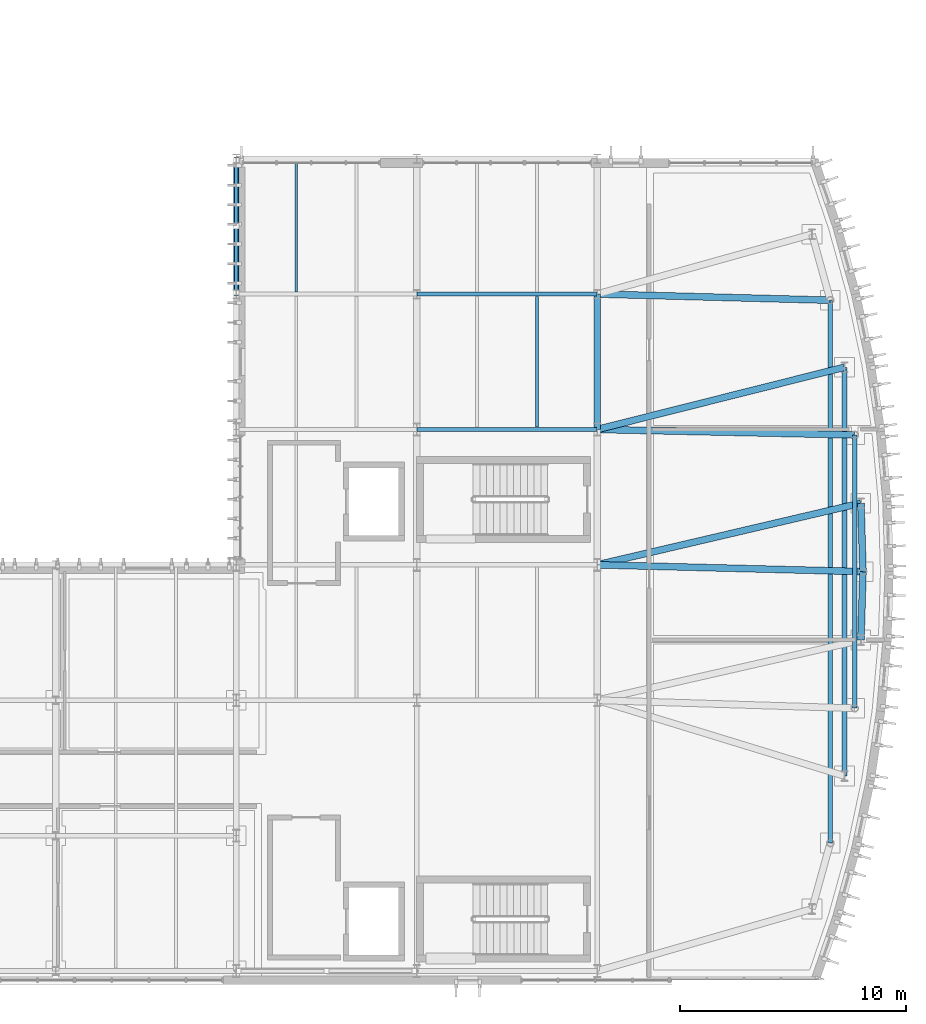
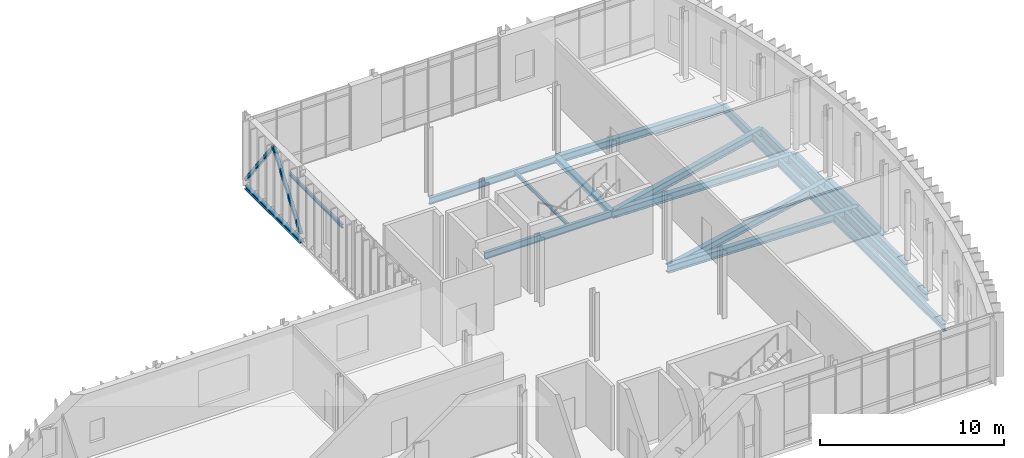
# One storey, part 46 of 100: 16 beams, 2 members.
"""IFC4 building model written with IfcOpenShell, lengths in metres."""

from ifc_helpers import new_model, si_unit, direction, frame, origin, origin_2d, place, context, subcontext, project, spatial, hollow_rectangle, i_section, extrude, material, material_profile, profile_set, type_object, element, save


model = new_model("IFC4")

# Units and contexts
model_context = context("Model", 3, precision=1e-05, world=origin(), true_north=direction((0.0, 1.0)))
body_context = subcontext(model_context, "Body", "Model", "MODEL_VIEW")
ifc_project = project(units=[si_unit("LENGTHUNIT", "METRE"), si_unit("AREAUNIT", "SQUARE_METRE"), si_unit("VOLUMEUNIT", "CUBIC_METRE"), si_unit("PLANEANGLEUNIT", "RADIAN"), si_unit("MASSUNIT", "GRAM", prefix="KILO")], contexts=[model_context])

# Site, building, storey
site_placement = place(None, origin())
site = spatial("IfcSite", under=ifc_project, at=site_placement, CompositionType="ELEMENT")
building_placement = place(site_placement, origin())
building = spatial("IfcBuilding", under=site, at=building_placement, Name="Cymarion Research Institute", CompositionType="ELEMENT")
storey_placement = place(building_placement, frame((0.0, 0.0, 9.300048828125)))
storey = spatial("IfcBuildingStorey", under=building, at=storey_placement, Name="L02", CompositionType="ELEMENT", Elevation=9.300048828125)

# Beams
ifc_material = material(Name="Steel S355", Category="steel")
ifc_material_profile_1 = material_profile(ifc_material, i_section(OverallWidth=0.2099609375, OverallDepth=0.550048828125, WebThickness=0.010986328125, FlangeThickness=0.01708984375, FilletRadius=0.02392578125, at=origin_2d()), Name="IPE 550")
ifc_profile_set_1 = profile_set([ifc_material_profile_1], Name="Steel S355")
beam_type_1 = type_object("IfcBeamType", Name="PRIMARY GIRDER BM02 IPE 550", PredefinedType="BEAM", material=ifc_profile_set_1)
beam_1_placement = place(storey_placement, frame((164.929931640625, 11.1787109375, -0.525146484375), z_axis=(0.0, 1.0, 0.0), x_axis=(-1.0, 0.0, 0.0)))
element("IfcBeam", 1, at=beam_1_placement, inside=storey, type_object=beam_type_1, Name="L02 V1 girder BM02 #817", PredefinedType="BEAM", context=body_context, shape_type="SweptSolid", body=[
    extrude(i_section(OverallWidth=0.2099609375, OverallDepth=0.550048828125, WebThickness=0.010986328125, FlangeThickness=0.01708984375, FilletRadius=0.02392578125, at=origin_2d()), origin(), (0.0, 0.0, 1.0), 24.04248046875),
])
beam_2_placement = place(storey_placement, frame((165.56005859375, 14.1474609375, -0.525146484375), z_axis=(0.0, 1.0, 0.0), x_axis=(-1.0, 0.0, 0.0)))
element("IfcBeam", 2, at=beam_2_placement, inside=storey, type_object=beam_type_1, Name="L02 V1 girder BM02 #818", PredefinedType="BEAM", context=body_context, shape_type="SweptSolid", body=[
    extrude(i_section(OverallWidth=0.2099609375, OverallDepth=0.550048828125, WebThickness=0.010986328125, FlangeThickness=0.01708984375, FilletRadius=0.02392578125, at=origin_2d()), origin(), (0.0, 0.0, 1.0), 18.10498046875),
])
beam_3_placement = place(storey_placement, frame((166.010009765625, 17.148681640625, -0.525146484375), z_axis=(0.0, 1.0, 0.0), x_axis=(-1.0, 0.0, 0.0)))
element("IfcBeam", 3, at=beam_3_placement, inside=storey, type_object=beam_type_1, Name="L02 V1 girder BM02 #819", PredefinedType="BEAM", context=body_context, shape_type="SweptSolid", body=[
    extrude(i_section(OverallWidth=0.2099609375, OverallDepth=0.550048828125, WebThickness=0.010986328125, FlangeThickness=0.01708984375, FilletRadius=0.02392578125, at=origin_2d()), origin(), (0.0, 0.0, 1.0), 12.1025390625),
])
ifc_material_profile_2 = material_profile(ifc_material, i_section(OverallWidth=0.18994140625, OverallDepth=0.449951171875, WebThickness=0.009521484375, FlangeThickness=0.0146484375, FilletRadius=0.02099609375, at=origin_2d()), Name="IPE 450")
ifc_profile_set_2 = profile_set([ifc_material_profile_2], Name="Steel S355")
beam_type_2 = type_object("IfcBeamType", Name="PRIMARY GIRDER BM04 IPE 450", PredefinedType="BEAM", material=ifc_profile_set_2)
for number, where, z_axis, x_axis, name in (
    (4, (146.60595703125, 29.5, -0.47509765625), (1.0, 0.0, 0.0), (0.0, 1.0, 0.0), "L02 V1 girder BM04 #784"),
    (5, (146.60595703125, 35.5, -0.47509765625), (1.0, 0.0, 0.0), (0.0, 1.0, 0.0), "L02 V1 girder BM04 #786"),
):
    element("IfcBeam", number, at=place(storey_placement, frame(where, z_axis=z_axis, x_axis=x_axis)), inside=storey, type_object=beam_type_2, Name=name, PredefinedType="BEAM", context=body_context, shape_type="SweptSolid", body=[
        extrude(i_section(OverallWidth=0.18994140625, OverallDepth=0.449951171875, WebThickness=0.009521484375, FlangeThickness=0.0146484375, FilletRadius=0.02099609375, at=origin_2d()), origin(), (0.0, 0.0, 1.0), 7.988037109375),
    ])
ifc_material_profile_3 = material_profile(ifc_material, i_section(OverallWidth=0.300048828125, OverallDepth=0.5, WebThickness=0.014404296875, FlangeThickness=0.028076171875, FilletRadius=0.027099609375, at=origin_2d()), Name="HEB 500")
ifc_profile_set_3 = profile_set([ifc_material_profile_3], Name="Steel S355")
beam_type_3 = type_object("IfcBeamType", Name="PRIMARY GIRDER BM09 HEB 500", PredefinedType="BEAM", material=ifc_profile_set_3)
beam_4_placement = place(storey_placement, frame((154.60791015625, 23.499755859375, -0.5), z_axis=(0.999675752574, -0.025463497715, 0.0), x_axis=(0.025463497715, 0.999675752574, 0.0)))
element("IfcBeam", 6, at=beam_4_placement, inside=storey, type_object=beam_type_3, Name="L02 V1 radial prow girder BM09 #828", PredefinedType="BEAM", context=body_context, shape_type="SweptSolid", body=[
    extrude(i_section(OverallWidth=0.300048828125, OverallDepth=0.5, WebThickness=0.014404296875, FlangeThickness=0.028076171875, FilletRadius=0.027099609375, at=origin_2d()), origin(), (0.0, 0.0, 1.0), 11.764404296875),
])
beam_5_placement = place(storey_placement, frame((154.60791015625, 23.501708984375, -0.5), z_axis=(0.973701737176, 0.22782652835, 0.0), x_axis=(-0.22782652835, 0.973701737176, 0.0)))
element("IfcBeam", 7, at=beam_5_placement, inside=storey, type_object=beam_type_3, Name="L02 V1 radial prow girder BM09 #829", PredefinedType="BEAM", context=body_context, shape_type="SweptSolid", body=[
    extrude(i_section(OverallWidth=0.300048828125, OverallDepth=0.5, WebThickness=0.014404296875, FlangeThickness=0.028076171875, FilletRadius=0.027099609375, at=origin_2d()), origin(), (0.0, 0.0, 1.0), 11.98486328125),
])
beam_6_placement = place(storey_placement, frame((154.60791015625, 29.499755859375, -0.5), z_axis=(0.999773836643, -0.021266771342, 0.0), x_axis=(0.021266771342, 0.999773836643, 0.0)))
element("IfcBeam", 8, at=beam_6_placement, inside=storey, type_object=beam_type_3, Name="L02 V1 radial prow girder BM09 #830", PredefinedType="BEAM", context=body_context, shape_type="SweptSolid", body=[
    extrude(i_section(OverallWidth=0.300048828125, OverallDepth=0.5, WebThickness=0.014404296875, FlangeThickness=0.028076171875, FilletRadius=0.027099609375, at=origin_2d()), origin(), (0.0, 0.0, 1.0), 11.399658203125),
])
beam_7_placement = place(storey_placement, frame((154.60791015625, 29.501953125, -0.5), z_axis=(0.969753132193, 0.244087817399, 0.0), x_axis=(-0.244087817399, 0.969753132193, 0.0)))
element("IfcBeam", 9, at=beam_7_placement, inside=storey, type_object=beam_type_3, Name="L02 V1 radial prow girder BM09 #831", PredefinedType="BEAM", context=body_context, shape_type="SweptSolid", body=[
    extrude(i_section(OverallWidth=0.300048828125, OverallDepth=0.5, WebThickness=0.014404296875, FlangeThickness=0.028076171875, FilletRadius=0.027099609375, at=origin_2d()), origin(), (0.0, 0.0, 1.0), 11.285400390625),
])
beam_8_placement = place(storey_placement, frame((154.60791015625, 35.499755859375, -0.5), z_axis=(0.999651753998, -0.026388837201, 0.0), x_axis=(0.026388837201, 0.999651753998, 0.0)))
element("IfcBeam", 10, at=beam_8_placement, inside=storey, type_object=beam_type_3, Name="L02 V1 radial prow girder BM09 #832", PredefinedType="BEAM", context=body_context, shape_type="SweptSolid", body=[
    extrude(i_section(OverallWidth=0.300048828125, OverallDepth=0.5, WebThickness=0.014404296875, FlangeThickness=0.028076171875, FilletRadius=0.027099609375, at=origin_2d()), origin(), (0.0, 0.0, 1.0), 10.315673828125),
])
ifc_material_profile_4 = material_profile(ifc_material, i_section(OverallWidth=0.300048828125, OverallDepth=0.449951171875, WebThickness=0.013916015625, FlangeThickness=0.02587890625, FilletRadius=0.027099609375, at=origin_2d()), Name="HEB 450")
ifc_profile_set_4 = profile_set([ifc_material_profile_4], Name="Steel S355")
beam_type_4 = type_object("IfcBeamType", Name="PRIMARY GIRDER BM10 HEB 450", PredefinedType="BEAM", material=ifc_profile_set_4)
beam_9_placement = place(storey_placement, frame((166.28564453125, 20.174072265625, -0.47509765625), z_axis=(0.030000243484, 0.999549891397, 0.0), x_axis=(-0.999549891397, 0.030000243484, 0.0)))
element("IfcBeam", 11, at=beam_9_placement, inside=storey, type_object=beam_type_4, Name="L02 V1 prow ring girder BM10 #821", PredefinedType="BEAM", context=body_context, shape_type="SweptSolid", body=[
    extrude(i_section(OverallWidth=0.300048828125, OverallDepth=0.449951171875, WebThickness=0.013916015625, FlangeThickness=0.02587890625, FilletRadius=0.027099609375, at=origin_2d()), origin(), (0.0, 0.0, 1.0), 3.019287109375),
])
beam_10_placement = place(storey_placement, frame((166.376220703125, 23.2080078125, -0.47509765625), z_axis=(-0.029997818857, 0.999549964166, 0.0), x_axis=(-0.999549964166, -0.029997818857, 0.0)))
element("IfcBeam", 12, at=beam_10_placement, inside=storey, type_object=beam_type_4, Name="L02 V1 prow ring girder BM10 #822", PredefinedType="BEAM", context=body_context, shape_type="SweptSolid", body=[
    extrude(i_section(OverallWidth=0.300048828125, OverallDepth=0.449951171875, WebThickness=0.013916015625, FlangeThickness=0.02587890625, FilletRadius=0.027099609375, at=origin_2d()), origin(), (0.0, 0.0, 1.0), 3.01953125),
])
ifc_material_profile_5 = material_profile(ifc_material, i_section(OverallWidth=0.300048828125, OverallDepth=0.35009765625, WebThickness=0.010009765625, FlangeThickness=0.017578125, FilletRadius=0.027099609375, at=origin_2d()), Name="HEA 360")
ifc_profile_set_5 = profile_set([ifc_material_profile_5], Name="Steel S355")
beam_type_5 = type_object("IfcBeamType", Name="PRIMARY GIRDER BM12 HEA 360", PredefinedType="BEAM", material=ifc_profile_set_5)
beam_11_placement = place(storey_placement, frame((154.60009765625, 29.506103515625, -0.425048828125), z_axis=(0.0, 1.0, 0.0), x_axis=(-1.0, 0.0, 0.0)))
element("IfcBeam", 13, at=beam_11_placement, inside=storey, type_object=beam_type_5, Name="L02 V1 girder BM12 #815", PredefinedType="BEAM", context=body_context, shape_type="SweptSolid", body=[
    extrude(i_section(OverallWidth=0.300048828125, OverallDepth=0.35009765625, WebThickness=0.010009765625, FlangeThickness=0.017578125, FilletRadius=0.027099609375, at=origin_2d()), origin(), (0.0, 0.0, 1.0), 5.98779296875),
])
ifc_material_profile_6 = material_profile(ifc_material, i_section(OverallWidth=0.1201171875, OverallDepth=0.239990234375, WebThickness=0.006103515625, FlangeThickness=0.009765625, FilletRadius=0.014892578125, at=origin_2d()), Name="IPE 240")
ifc_profile_set_6 = profile_set([ifc_material_profile_6], Name="Steel S355")
beam_type_6 = type_object("IfcBeamType", Name="SECONDARY JOIST JS04 IPE 240", PredefinedType="JOIST", material=ifc_profile_set_6)
beam_12_placement = place(storey_placement, frame((151.933349609375, 29.59912109375, -0.3701171875), z_axis=(0.0, 1.0, 0.0), x_axis=(-1.0, 0.0, 0.0)))
element("IfcBeam", 14, at=beam_12_placement, inside=storey, type_object=beam_type_6, Name="L02 V1 secondary joist JS04 #866", PredefinedType="JOIST", context=body_context, shape_type="SweptSolid", body=[
    extrude(i_section(OverallWidth=0.1201171875, OverallDepth=0.239990234375, WebThickness=0.006103515625, FlangeThickness=0.009765625, FilletRadius=0.014892578125, at=origin_2d()), origin(), (0.0, 0.0, 1.0), 5.8017578125),
])
beam_13_placement = place(storey_placement, frame((141.2666015625, 35.59912109375, -0.3701171875), z_axis=(0.0, 1.0, 0.0), x_axis=(-1.0, 0.0, 0.0)))
element("IfcBeam", 15, at=beam_13_placement, inside=storey, type_object=beam_type_6, Name="L02 V1 secondary joist JS04 #867", PredefinedType="JOIST", context=body_context, shape_type="SweptSolid", body=[
    extrude(i_section(OverallWidth=0.1201171875, OverallDepth=0.239990234375, WebThickness=0.006103515625, FlangeThickness=0.009765625, FilletRadius=0.014892578125, at=origin_2d()), origin(), (0.0, 0.0, 1.0), 5.77685546875),
])
ifc_material_profile_7 = material_profile(ifc_material, i_section(OverallWidth=0.239990234375, OverallDepth=0.22998046875, WebThickness=0.007568359375, FlangeThickness=0.011962890625, FilletRadius=0.02099609375, at=origin_2d()), Name="HEA 240")
ifc_profile_set_7 = profile_set([ifc_material_profile_7], Name="Steel S355")
beam_type_7 = type_object("IfcBeamType", Name="SPANDREL BEAM SPB03 HEA 240", PredefinedType="SPANDREL", material=ifc_profile_set_7)
beam_14_placement = place(storey_placement, frame((138.60009765625, 35.506103515625, -0.364990234375), z_axis=(0.0, 1.0, 0.0), x_axis=(-1.0, 0.0, 0.0)))
element("IfcBeam", 16, at=beam_14_placement, inside=storey, type_object=beam_type_7, Name="L02 V1 girder SPB03 #806", PredefinedType="SPANDREL", context=body_context, shape_type="SweptSolid", body=[
    extrude(i_section(OverallWidth=0.239990234375, OverallDepth=0.22998046875, WebThickness=0.007568359375, FlangeThickness=0.011962890625, FilletRadius=0.02099609375, at=origin_2d()), origin(), (0.0, 0.0, 1.0), 5.98779296875),
])

# Members
ifc_material_profile_8 = material_profile(ifc_material, hollow_rectangle(XDim=0.199951171875, YDim=0.199951171875, WallThickness=0.010009765625, InnerFilletRadius=0.014892578125, OuterFilletRadius=0.02490234375, at=origin_2d()), Name="SHS 200x200x10")
ifc_profile_set_8 = profile_set([ifc_material_profile_8], Name="Steel S355")
member_type = type_object("IfcMemberType", Name="STRUCTURAL MEMBER BR07 SHS 200x200x10", PredefinedType="BRACE", material=ifc_profile_set_8)
for number, where, z_axis, x_axis, name in (
    (17, (138.60009765625, 35.511962890625, 0.119873046875), (0.0, 0.59864246265, 0.801016355583), (-1.0, 0.0, 0.0), "L02 V1 seismic chevron brace BR07 #1"),
    (18, (138.60009765625, 41.488037109375, 0.119873046875), (0.0, -0.59864246265, 0.801016355583), (1.0, 0.0, 0.0), "L02 V1 seismic chevron brace BR07 #2"),
):
    element("IfcMember", number, at=place(storey_placement, frame(where, z_axis=z_axis, x_axis=x_axis)), inside=storey, type_object=member_type, Name=name, PredefinedType="BRACE", context=body_context, shape_type="SweptSolid", body=[
        extrude(hollow_rectangle(XDim=0.199951171875, YDim=0.199951171875, WallThickness=0.010009765625, InnerFilletRadius=0.014892578125, OuterFilletRadius=0.02490234375, at=origin_2d()), origin(), (0.0, 0.0, 1.0), 4.981201171875),
    ])

save(model, "model.ifc")
